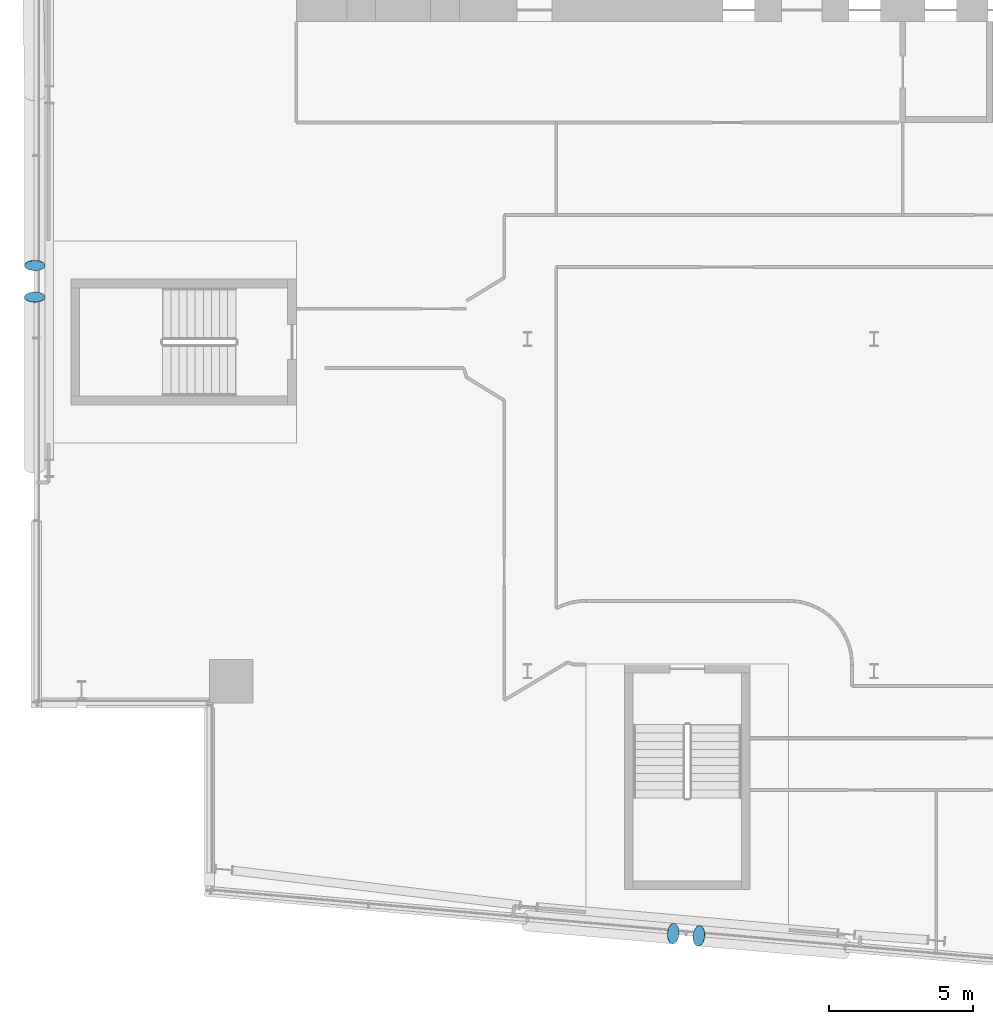
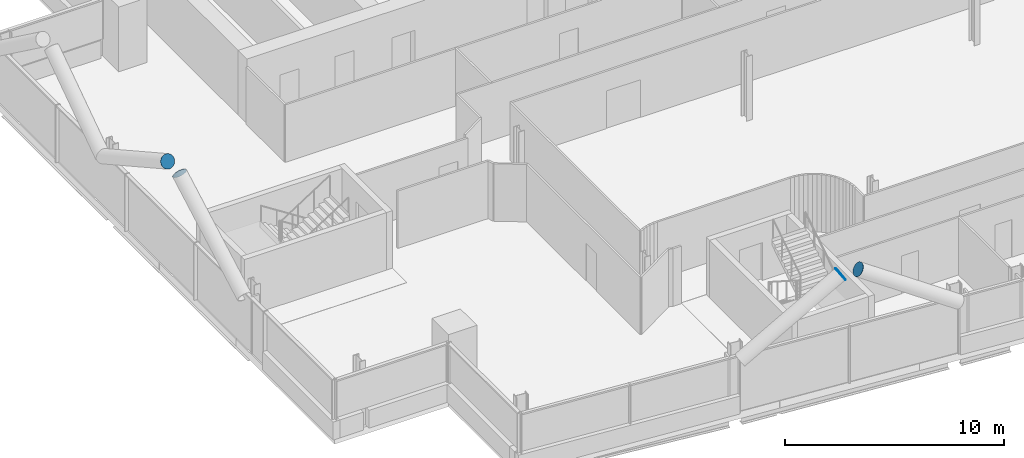
# One storey, part 23 of 29: 4 discrete accessories.
"""IFC4 building model written with IfcOpenShell, lengths in metres."""

from ifc_helpers import new_model, si_unit, direction, frame, origin, origin_2d, place, context, subcontext, project, spatial, circle, extrude, material, material_profile, profile_set, type_object, element, save


model = new_model("IFC4")

# Units and contexts
model_context = context("Model", 3, precision=1e-05, world=origin(), true_north=direction((0.0, 1.0)))
body_context = subcontext(model_context, "Body", "Model", "MODEL_VIEW")
ifc_project = project(units=[si_unit("LENGTHUNIT", "METRE"), si_unit("AREAUNIT", "SQUARE_METRE"), si_unit("VOLUMEUNIT", "CUBIC_METRE"), si_unit("PLANEANGLEUNIT", "RADIAN"), si_unit("MASSUNIT", "GRAM", prefix="KILO")], contexts=[model_context])

# Site, building, storey
site_placement = place(None, origin())
site = spatial("IfcSite", under=ifc_project, at=site_placement, CompositionType="ELEMENT")
building_placement = place(site_placement, origin())
building = spatial("IfcBuilding", under=site, at=building_placement, Name="Wharfspan Tower", CompositionType="ELEMENT")
storey_placement = place(building_placement, frame((0.0, 0.0, 155.5)))
storey = spatial("IfcBuildingStorey", under=building, at=storey_placement, Name="L37", CompositionType="ELEMENT", Elevation=155.5)

# Discrete accessories
ifc_material = material(Name="Steel S460NH", Category="steel")
ifc_material_profile = material_profile(ifc_material, circle(Radius=0.355469, at=origin_2d()))
ifc_profile_set = profile_set([ifc_material_profile], Name="Steel S460NH")
discrete_accessory_type = type_object("IfcDiscreteAccessoryType", Name="End plate CHS 711x36", PredefinedType="BRACKET", material=ifc_profile_set)
discrete_accessory_placement = place(storey_placement, frame((29.043213, 2.41626, 6.204102), z_axis=(0.83357, -0.071449, 0.547774), x_axis=(0.085401, 0.996343, 0.0)))
element("IfcDiscreteAccessory", 1, at=discrete_accessory_placement, inside=storey, type_object=discrete_accessory_type, Name="End plate CHS 711x36", PredefinedType="BRACKET", context=body_context, shape_type="SweptSolid", body=[
    extrude(circle(Radius=0.355469, at=origin_2d()), origin(), (0.0, 0.0, 1.0), 0.010254),
])
for number, where, z_axis, x_axis, name in (
    (2, (29.947021, 2.337158, 6.204102), (-0.82608, 0.072889, 0.558819), (-0.087894, -0.99613, -1e-06), "End plate CHS 711x36"),
    (3, (6.945068, 25.554443, 6.191406), (0.0, -0.874157, 0.485643), (1.0, 0.0, 0.0), "End plate CHS 711x36"),
    (4, (6.945068, 24.445557, 6.191406), (0.0, 0.874157, 0.485643), (-1.0, 0.0, 0.0), "End plate CHS 711x36"),
):
    element("IfcDiscreteAccessory", number, at=place(storey_placement, frame(where, z_axis=z_axis, x_axis=x_axis)), inside=storey, type_object=discrete_accessory_type, Name=name, PredefinedType="BRACKET", context=body_context, shape_type="SweptSolid", body=[
        extrude(circle(Radius=0.355469, at=origin_2d()), origin(), (0.0, 0.0, 1.0), 0.01001),
    ])

save(model, "model.ifc")
